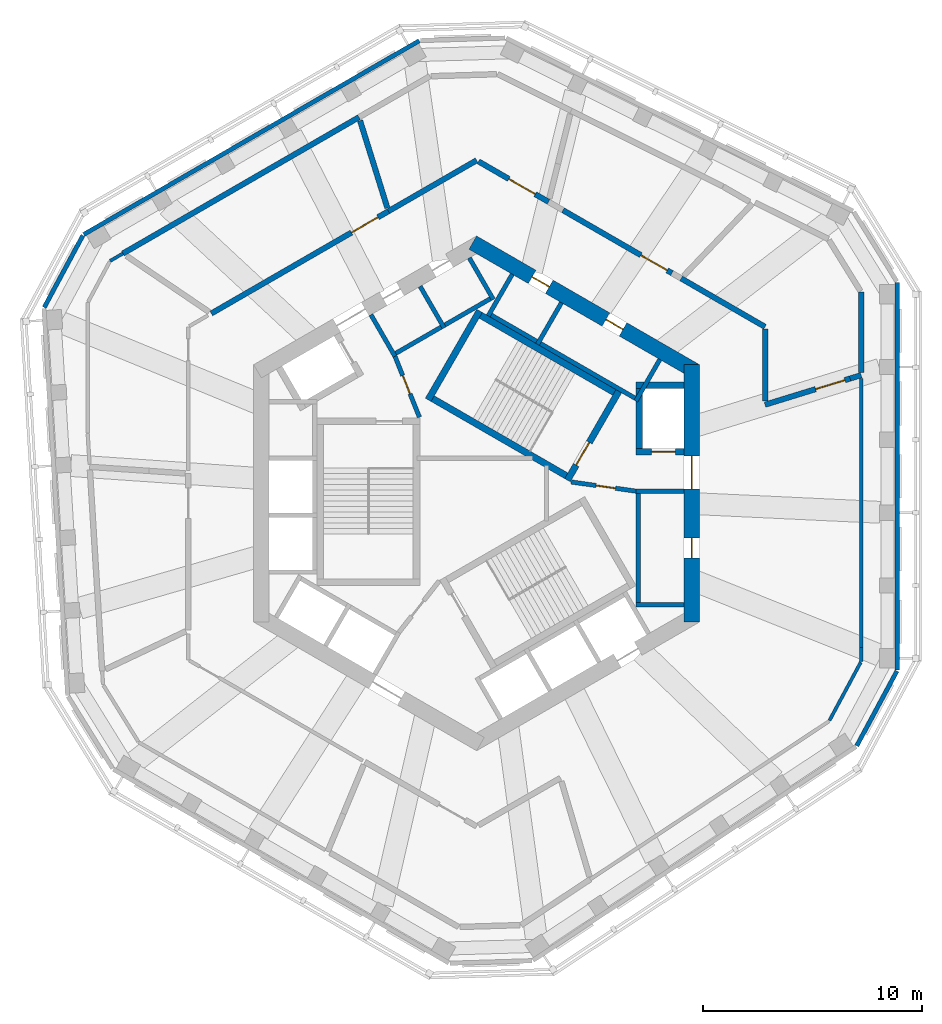
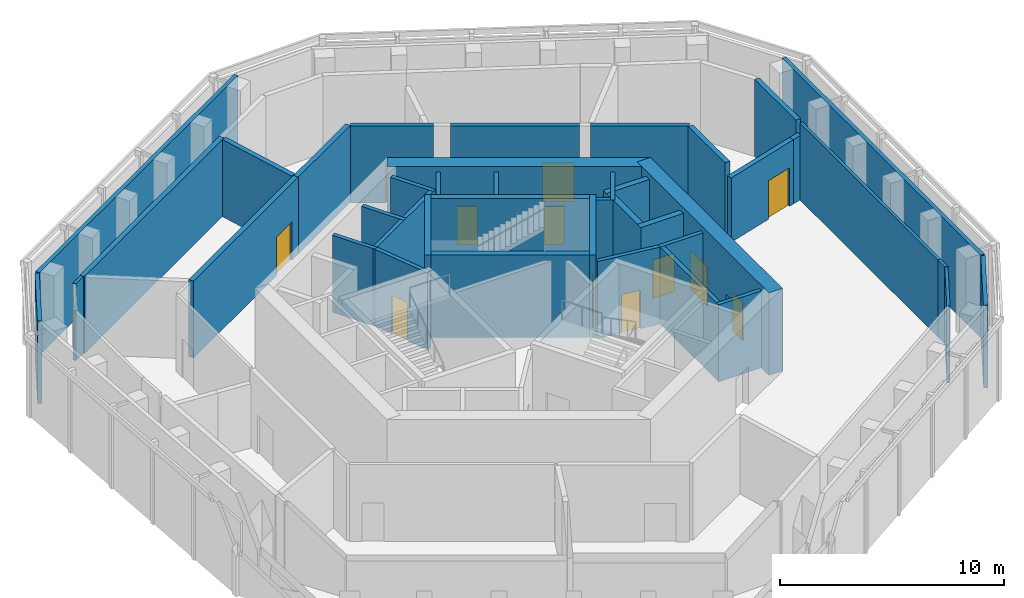
# One storey, part 5 of 9: 41 walls, 12 doors, 12 openings.
"""IFC4 building model written with IfcOpenShell, lengths in metres."""

from ifc_helpers import new_model, si_unit, direction, frame, frame_2d, origin, place, context, subcontext, project, spatial, rectangle, extrude, material, layer, layer_set, type_object, element, fill, save


model = new_model("IFC4")

# Units and contexts
model_context = context("Model", 3, precision=1e-05, world=origin(), true_north=direction((0.0, 1.0)))
body_context = subcontext(model_context, "Body", "Model", "MODEL_VIEW")
ifc_project = project(units=[si_unit("LENGTHUNIT", "METRE"), si_unit("AREAUNIT", "SQUARE_METRE"), si_unit("VOLUMEUNIT", "CUBIC_METRE"), si_unit("PLANEANGLEUNIT", "RADIAN"), si_unit("MASSUNIT", "GRAM", prefix="KILO")], contexts=[model_context])

# Site, building, storey
site_placement = place(None, origin())
site = spatial("IfcSite", under=ifc_project, at=site_placement, CompositionType="ELEMENT")
building_placement = place(site_placement, origin())
building = spatial("IfcBuilding", under=site, at=building_placement, Name="Vanh Sen Convention Tower", CompositionType="ELEMENT")
storey_placement = place(building_placement, frame((0.0, 0.0, 300.5)))
storey = spatial("IfcBuildingStorey", under=building, at=storey_placement, Name="L74", CompositionType="ELEMENT", Elevation=300.5)

# Wall, opening, door
ifc_material_1 = material(Name="Concrete C40/50", Category="concrete")
ifc_layer_1 = layer(ifc_material_1, 0.25)
ifc_layer_set_1 = layer_set([ifc_layer_1], Name="Concrete C40/50")
wall_type_1 = type_object("IfcWallType", Name="Concrete wall 250 EI 180", PredefinedType="SOLIDWALL", material=ifc_layer_set_1)
wall_1_placement = place(storey_placement, frame((17.091064453125, 5.25439453125, 0.0), z_axis=(0.0, 0.0, 1.0), x_axis=(-0.955846412472, -0.293866697271, 0.0)))
wall_1 = element("IfcWall", 1, at=wall_1_placement, inside=storey, type_object=wall_type_1, Name="Fire-resisting wall L74-025", PredefinedType="SOLIDWALL", context=body_context, shape_type="SweptSolid", body=[
    extrude(rectangle(XDim=4.07080078125, YDim=0.25, at=frame_2d((2.035400390625, 0.0))), origin(), (0.0, 0.0, 1.0), 3.5),
])
opening_1_placement = place(wall_1_placement, frame((0.25, 0.0, 0.0)))
opening_1 = element("IfcOpeningElement", 2, at=opening_1_placement, cuts=wall_1, Name="Opening D74105", PredefinedType="OPENING", context=body_context, shape_type="SweptSolid", body=[
    extrude(rectangle(XDim=1.39990234375, YDim=2.10009765625, at=frame_2d((0.699951171875, 1.050048828125))), frame((0.0, 0.135009765625, 0.0), z_axis=(0.0, -1.0, 0.0), x_axis=(1.0, 0.0, 0.0)), (0.0, 0.0, 1.0), 0.27001953125),
])
ifc_material_2 = material(Name="Steel S355", Category="steel")
door_type_1 = type_object("IfcDoorType", Name="Service door 1400 EI 60", OperationType="SINGLE_SWING_LEFT", PredefinedType="DOOR", material=ifc_material_2)
door_1_placement = place(opening_1_placement, origin())
door_1 = element("IfcDoor", 3, at=door_1_placement, inside=storey, type_object=door_type_1, Name="Service door D74105", OperationType="SINGLE_SWING_LEFT", OverallHeight=2.10009765625, OverallWidth=1.39990234375, PredefinedType="DOOR", context=body_context, shape_type="SweptSolid", body=[
    extrude(rectangle(XDim=1.39990234375, YDim=2.10009765625, at=frame_2d((0.699951171875, 1.050048828125))), frame((0.0, 0.02490234375, 0.0), z_axis=(0.0, -1.0, 0.0), x_axis=(1.0, 0.0, 0.0)), (0.0, 0.0, 1.0), 0.050048828125),
])
fill(opening_1, door_1)

# Walls
wall_2_placement = place(storey_placement, frame((17.091064453125, 5.25439453125, 0.0), z_axis=(0.0, 0.0, 1.0), x_axis=(0.955848367703, 0.293860337505, 0.0)))
element("IfcWall", 4, at=wall_2_placement, inside=storey, type_object=wall_type_1, Name="Fire-resisting wall L74-026", PredefinedType="SOLIDWALL", context=body_context, shape_type="SweptSolid", body=[
    extrude(rectangle(XDim=0.532470703125, YDim=0.25, at=frame_2d((0.26611328125, 0.0))), origin(), (0.0, 0.0, 1.0), 3.5),
])
wall_3_placement = place(storey_placement, frame((13.199951171875, 7.52099609375, 0.0), z_axis=(0.0, 0.0, 1.0), x_axis=(0.0, -1.0, 0.0)))
element("IfcWall", 5, at=wall_3_placement, inside=storey, type_object=wall_type_1, Name="Fire-resisting wall L74-028", PredefinedType="SOLIDWALL", context=body_context, shape_type="SweptSolid", body=[
    extrude(rectangle(XDim=3.282958984375, YDim=0.25, at=frame_2d((1.6416015625, 0.0))), origin(), (0.0, 0.0, 1.0), 4.199951171875),
])
wall_4_placement = place(storey_placement, frame((13.199951171875, 7.62109375, 0.0), z_axis=(0.0, 0.0, 1.0), x_axis=(-0.866036909293, 0.499980071345, 0.0)))
element("IfcWall", 6, at=wall_4_placement, inside=storey, type_object=wall_type_1, Name="Fire-resisting wall L74-029", PredefinedType="SOLIDWALL", context=body_context, shape_type="SweptSolid", body=[
    extrude(rectangle(XDim=4.429931640625, YDim=0.25, at=frame_2d((2.21484375, 0.0))), origin(), (0.0, 0.0, 1.0), 4.199951171875),
])

# Wall, opening, door
wall_5_placement = place(storey_placement, frame((-12.140380859375, 8.23291015625, 0.0), z_axis=(0.0, 0.0, 1.0), x_axis=(0.866012216201, 0.500022840869, 0.0)))
wall_5 = element("IfcWall", 7, at=wall_5_placement, inside=storey, type_object=wall_type_1, Name="Fire-resisting wall L74-031", PredefinedType="SOLIDWALL", context=body_context, shape_type="SweptSolid", body=[
    extrude(rectangle(XDim=9.35693359375, YDim=0.25, at=frame_2d((4.678466796875, 0.0))), origin(), (0.0, 0.0, 1.0), 4.199951171875),
])
opening_2_placement = place(wall_5_placement, frame((7.406982421875, 0.0, 0.0)))
opening_2 = element("IfcOpeningElement", 8, at=opening_2_placement, cuts=wall_5, Name="Opening D74106", PredefinedType="OPENING", context=body_context, shape_type="SweptSolid", body=[
    extrude(rectangle(XDim=1.39990234375, YDim=2.10009765625, at=frame_2d((0.699951171875, 1.050048828125))), frame((0.0, 0.135009765625, 0.0), z_axis=(0.0, -1.0, 0.0), x_axis=(1.0, 0.0, 0.0)), (0.0, 0.0, 1.0), 0.27001953125),
])
door_2_placement = place(opening_2_placement, origin())
door_2 = element("IfcDoor", 9, at=door_2_placement, inside=storey, type_object=door_type_1, Name="Service door D74106", OperationType="SINGLE_SWING_LEFT", OverallHeight=2.10009765625, OverallWidth=1.39990234375, PredefinedType="DOOR", context=body_context, shape_type="SweptSolid", body=[
    extrude(rectangle(XDim=1.39990234375, YDim=2.10009765625, at=frame_2d((0.699951171875, 1.050048828125))), frame((0.0, 0.02490234375, 0.0), z_axis=(0.0, -1.0, 0.0), x_axis=(1.0, 0.0, 0.0)), (0.0, 0.0, 1.0), 0.050048828125),
])
fill(opening_2, door_2)

# Walls
wall_6_placement = place(storey_placement, frame((17.60009765625, 9.20654296875, 0.0), z_axis=(0.0, 0.0, 1.0), x_axis=(0.0, -1.0, 0.0)))
element("IfcWall", 10, at=wall_6_placement, inside=storey, type_object=wall_type_1, Name="Fire-resisting wall L74-034", PredefinedType="SOLIDWALL", context=body_context, shape_type="SweptSolid", body=[
    extrude(rectangle(XDim=3.675537109375, YDim=0.25, at=frame_2d((1.837890625, 0.0))), origin(), (0.0, 0.0, 1.0), 4.199951171875),
])
wall_7_placement = place(storey_placement, frame((-16.18701171875, 10.97705078125, 0.0), z_axis=(0.0, 0.0, 1.0), x_axis=(0.866022320763, 0.500005339912, 0.0)))
element("IfcWall", 11, at=wall_7_placement, inside=storey, type_object=wall_type_1, Name="Fire-resisting wall L74-037", PredefinedType="SOLIDWALL", context=body_context, shape_type="SweptSolid", body=[
    extrude(rectangle(XDim=12.475830078125, YDim=0.25, at=frame_2d((6.23779296875, 0.0))), origin(), (0.0, 0.0, 1.0), 4.199951171875),
])

# Wall, opening, door
wall_8_placement = place(storey_placement, frame((3.952392578125, 12.9599609375, 0.0), z_axis=(0.0, 0.0, 1.0), x_axis=(0.866036720167, -0.499980398938, 0.0)))
wall_8 = element("IfcWall", 12, at=wall_8_placement, inside=storey, type_object=wall_type_1, Name="Fire-resisting wall L74-039", PredefinedType="SOLIDWALL", context=body_context, shape_type="SweptSolid", body=[
    extrude(rectangle(XDim=5.762451171875, YDim=0.25, at=frame_2d((2.88134765625, 0.0))), origin(), (0.0, 0.0, 1.0), 4.199951171875),
])
opening_3_placement = place(wall_8_placement, frame((4.1123046875, 0.0, 0.0)))
opening_3 = element("IfcOpeningElement", 13, at=opening_3_placement, cuts=wall_8, Name="Opening D74107", PredefinedType="OPENING", context=body_context, shape_type="SweptSolid", body=[
    extrude(rectangle(XDim=1.39990234375, YDim=2.10009765625, at=frame_2d((0.699951171875, 1.050048828125))), frame((0.0, 0.135009765625, 0.0), z_axis=(0.0, -1.0, 0.0), x_axis=(1.0, 0.0, 0.0)), (0.0, 0.0, 1.0), 0.27001953125),
])
door_3_placement = place(opening_3_placement, origin())
door_3 = element("IfcDoor", 14, at=door_3_placement, inside=storey, type_object=door_type_1, Name="Service door D74107", OperationType="SINGLE_SWING_LEFT", OverallHeight=2.10009765625, OverallWidth=1.39990234375, PredefinedType="DOOR", context=body_context, shape_type="SweptSolid", body=[
    extrude(rectangle(XDim=1.39990234375, YDim=2.10009765625, at=frame_2d((0.699951171875, 1.050048828125))), frame((0.0, 0.02490234375, 0.0), z_axis=(0.0, -1.0, 0.0), x_axis=(1.0, 0.0, 0.0)), (0.0, 0.0, 1.0), 0.050048828125),
])
fill(opening_3, door_3)

# Wall
wall_9_placement = place(storey_placement, frame((-4.084716796875, 13.064208984375, 0.0), z_axis=(0.0, 0.0, 1.0), x_axis=(-0.298407733905, 0.954438486413, 0.0)))
element("IfcWall", 15, at=wall_9_placement, inside=storey, type_object=wall_type_1, Name="Fire-resisting wall L74-041", PredefinedType="SOLIDWALL", context=body_context, shape_type="SweptSolid", body=[
    extrude(rectangle(XDim=4.18896484375, YDim=0.25, at=frame_2d((2.094482421875, 0.0))), origin(), (0.0, 0.0, 1.0), 4.199951171875),
])

# Wall, opening, door
wall_10_placement = place(storey_placement, frame((3.29248046875, 13.341064453125, 0.0), z_axis=(0.0, 0.0, 1.0), x_axis=(-0.866030726613, 0.499990780478, 0.0)))
wall_10 = element("IfcWall", 16, at=wall_10_placement, inside=storey, type_object=wall_type_1, Name="Fire-resisting wall L74-044", PredefinedType="SOLIDWALL", context=body_context, shape_type="SweptSolid", body=[
    extrude(rectangle(XDim=3.70166015625, YDim=0.25, at=frame_2d((1.850830078125, 0.0))), origin(), (0.0, 0.0, 1.0), 4.199951171875),
])
opening_4_placement = place(wall_10_placement, frame((0.699951171875, 0.0, 0.0)))
opening_4 = element("IfcOpeningElement", 17, at=opening_4_placement, cuts=wall_10, Name="Opening D74108", PredefinedType="OPENING", context=body_context, shape_type="SweptSolid", body=[
    extrude(rectangle(XDim=1.39990234375, YDim=2.10009765625, at=frame_2d((0.699951171875, 1.050048828125))), frame((0.0, 0.135009765625, 0.0), z_axis=(0.0, -1.0, 0.0), x_axis=(1.0, 0.0, 0.0)), (0.0, 0.0, 1.0), 0.27001953125),
])
door_4_placement = place(opening_4_placement, origin())
door_4 = element("IfcDoor", 18, at=door_4_placement, inside=storey, type_object=door_type_1, Name="Service door D74108", OperationType="SINGLE_SWING_LEFT", OverallHeight=2.10009765625, OverallWidth=1.39990234375, PredefinedType="DOOR", context=body_context, shape_type="SweptSolid", body=[
    extrude(rectangle(XDim=1.39990234375, YDim=2.10009765625, at=frame_2d((0.699951171875, 1.050048828125))), frame((0.0, 0.02490234375, 0.0), z_axis=(0.0, -1.0, 0.0), x_axis=(1.0, 0.0, 0.0)), (0.0, 0.0, 1.0), 0.050048828125),
])
fill(opening_4, door_4)

# Wall
wall_11_placement = place(storey_placement, frame((0.0, 15.241943359375, 0.0), z_axis=(0.0, 0.0, 1.0), x_axis=(-0.866072210649, -0.499918919367, 0.0)))
element("IfcWall", 19, at=wall_11_placement, inside=storey, type_object=wall_type_1, Name="Fire-resisting wall L74-048", PredefinedType="SOLIDWALL", context=body_context, shape_type="SweptSolid", body=[
    extrude(rectangle(XDim=4.661376953125, YDim=0.25, at=frame_2d((2.33056640625, 0.0))), origin(), (0.0, 0.0, 1.0), 4.199951171875),
])

# Wall, openings, doors
ifc_material_3 = material(Name="Concrete C60/75", Category="concrete")
ifc_layer_2 = layer(ifc_material_3, 0.699951171875)
ifc_layer_set_2 = layer_set([ifc_layer_2], Name="Concrete C60/75")
wall_type_2 = type_object("IfcWallType", Name="Core outer wall 700 C60/75", PredefinedType="SHEAR", material=ifc_layer_set_2)
wall_12_placement = place(storey_placement, frame((9.85009765625, -5.888916015625, 0.0), z_axis=(0.0, 0.0, 1.0), x_axis=(0.0, 1.0, 0.0)))
wall_12 = element("IfcWall", 20, at=wall_12_placement, inside=storey, type_object=wall_type_2, Name="Core wall face E L74", PredefinedType="SHEAR", context=body_context, shape_type="SweptSolid", body=[
    extrude(rectangle(XDim=11.77783203125, YDim=0.699951171875, at=frame_2d((5.888916015625, 0.0))), origin(), (0.0, 0.0, 1.0), 4.5),
])
opening_5_placement = place(wall_12_placement, frame((6.089111328125, 0.0, 0.0)))
opening_5 = element("IfcOpeningElement", 21, at=opening_5_placement, cuts=wall_12, Name="Opening D74001", PredefinedType="OPENING", context=body_context, shape_type="SweptSolid", body=[
    extrude(rectangle(XDim=1.5, YDim=2.10009765625, at=frame_2d((0.75, 1.050048828125))), frame((0.0, 0.35986328125, 0.0), z_axis=(0.0, -1.0, 0.0), x_axis=(1.0, 0.0, 0.0)), (0.0, 0.0, 1.0), 0.719970703125),
])
opening_6_placement = place(wall_12_placement, frame((2.93896484375, 0.0, 0.0)))
opening_6 = element("IfcOpeningElement", 22, at=opening_6_placement, cuts=wall_12, Name="Opening D74010", PredefinedType="OPENING", context=body_context, shape_type="SweptSolid", body=[
    extrude(rectangle(XDim=0.89990234375, YDim=2.10009765625, at=frame_2d((0.449951171875, 1.050048828125))), frame((0.0, 0.35986328125, 0.0), z_axis=(0.0, -1.0, 0.0), x_axis=(1.0, 0.0, 0.0)), (0.0, 0.0, 1.0), 0.719970703125),
])
ifc_material_4 = material(Name="Steel S355", Category="steel")
door_type_2 = type_object("IfcDoorType", Name="Plant door 900", OperationType="SINGLE_SWING_LEFT", PredefinedType="DOOR", material=ifc_material_4)
door_5_placement = place(opening_6_placement, origin())
door_5 = element("IfcDoor", 23, at=door_5_placement, inside=storey, type_object=door_type_2, Name="Plant door D74010", OperationType="SINGLE_SWING_LEFT", OverallHeight=2.10009765625, OverallWidth=0.89990234375, PredefinedType="DOOR", context=body_context, shape_type="SweptSolid", body=[
    extrude(rectangle(XDim=0.89990234375, YDim=2.10009765625, at=frame_2d((0.449951171875, 1.050048828125))), frame((0.0, 0.02490234375, 0.0), z_axis=(0.0, -1.0, 0.0), x_axis=(1.0, 0.0, 0.0)), (0.0, 0.0, 1.0), 0.050048828125),
])
fill(opening_6, door_5)
door_type_3 = type_object("IfcDoorType", Name="Stair lobby door 1500", OperationType="DOUBLE_DOOR_SINGLE_SWING", PredefinedType="DOOR", material=ifc_material_4)
door_6_placement = place(opening_5_placement, origin())
door_6 = element("IfcDoor", 24, at=door_6_placement, inside=storey, type_object=door_type_3, Name="Stair lobby door D74001", OperationType="DOUBLE_DOOR_SINGLE_SWING", OverallHeight=2.10009765625, OverallWidth=1.5, PredefinedType="DOOR", context=body_context, shape_type="SweptSolid", body=[
    extrude(rectangle(XDim=1.5, YDim=2.10009765625, at=frame_2d((0.75, 1.050048828125))), frame((0.0, 0.02490234375, 0.0), z_axis=(0.0, -1.0, 0.0), x_axis=(1.0, 0.0, 0.0)), (0.0, 0.0, 1.0), 0.050048828125),
])
fill(opening_5, door_6)

wall_13_placement = place(storey_placement, frame((10.02490234375, 5.5859375, 0.0), z_axis=(0.0, 0.0, 1.0), x_axis=(-0.866026453023, 0.499998182661, 0.0)))
wall_13 = element("IfcWall", 25, at=wall_13_placement, inside=storey, type_object=wall_type_2, Name="Core wall face NE L74", PredefinedType="SHEAR", context=body_context, shape_type="SweptSolid", body=[
    extrude(rectangle(XDim=11.77783203125, YDim=0.699951171875, at=frame_2d((5.888916015625, 0.0))), origin(), (0.0, 0.0, 1.0), 4.5),
])
opening_7_placement = place(wall_13_placement, frame((3.839111328125, 0.0, 0.0)))
opening_7 = element("IfcOpeningElement", 26, at=opening_7_placement, cuts=wall_13, Name="Opening D74011", PredefinedType="OPENING", context=body_context, shape_type="SweptSolid", body=[
    extrude(rectangle(XDim=0.89990234375, YDim=2.10009765625, at=frame_2d((0.449951171875, 1.050048828125))), frame((0.0, 0.35986328125, 0.0), z_axis=(0.0, -1.0, 0.0), x_axis=(1.0, 0.0, 0.0)), (0.0, 0.0, 1.0), 0.719970703125),
])
opening_8_placement = place(wall_13_placement, frame((7.739013671875, 0.0, 0.0)))
opening_8 = element("IfcOpeningElement", 27, at=opening_8_placement, cuts=wall_13, Name="Opening D74012", PredefinedType="OPENING", context=body_context, shape_type="SweptSolid", body=[
    extrude(rectangle(XDim=0.89990234375, YDim=2.10009765625, at=frame_2d((0.449951171875, 1.050048828125))), frame((0.0, 0.35986328125, 0.0), z_axis=(0.0, -1.0, 0.0), x_axis=(1.0, 0.0, 0.0)), (0.0, 0.0, 1.0), 0.719970703125),
])
door_7_placement = place(opening_7_placement, origin())
door_7 = element("IfcDoor", 28, at=door_7_placement, inside=storey, type_object=door_type_2, Name="Plant door D74011", OperationType="SINGLE_SWING_LEFT", OverallHeight=2.10009765625, OverallWidth=0.89990234375, PredefinedType="DOOR", context=body_context, shape_type="SweptSolid", body=[
    extrude(rectangle(XDim=0.89990234375, YDim=2.10009765625, at=frame_2d((0.449951171875, 1.050048828125))), frame((0.0, 0.02490234375, 0.0), z_axis=(0.0, -1.0, 0.0), x_axis=(1.0, 0.0, 0.0)), (0.0, 0.0, 1.0), 0.050048828125),
])
fill(opening_7, door_7)
door_8_placement = place(opening_8_placement, origin())
door_8 = element("IfcDoor", 29, at=door_8_placement, inside=storey, type_object=door_type_2, Name="Plant door D74012", OperationType="SINGLE_SWING_LEFT", OverallHeight=2.10009765625, OverallWidth=0.89990234375, PredefinedType="DOOR", context=body_context, shape_type="SweptSolid", body=[
    extrude(rectangle(XDim=0.89990234375, YDim=2.10009765625, at=frame_2d((0.449951171875, 1.050048828125))), frame((0.0, 0.02490234375, 0.0), z_axis=(0.0, -1.0, 0.0), x_axis=(1.0, 0.0, 0.0)), (0.0, 0.0, 1.0), 0.050048828125),
])
fill(opening_8, door_8)

# Walls
ifc_material_5 = material(Name="Insulated lightweight infill wall")
ifc_layer_3 = layer(ifc_material_5, 0.199951171875)
ifc_layer_set_3 = layer_set([ifc_layer_3], Name="Insulated lightweight infill wall")
wall_type_3 = type_object("IfcWallType", Name="External wall 200", PredefinedType="STANDARD", material=ifc_layer_set_3)
wall_14_placement = place(storey_placement, frame((19.25, -8.083984375, 0.0), z_axis=(0.0, 0.0, 1.0), x_axis=(0.0, 1.0, 0.0)))
element("IfcWall", 30, at=wall_14_placement, inside=storey, type_object=wall_type_3, Name="External wall E L74", PredefinedType="STANDARD", context=body_context, shape_type="SweptSolid", body=[
    extrude(rectangle(XDim=17.731201171875, YDim=0.199951171875, at=frame_2d((8.86572265625, 0.0))), origin(), (0.0, 0.0, 1.0), 4.5),
])
wall_15_placement = place(storey_placement, frame((-2.623779296875, 20.713134765625, 0.0), z_axis=(0.0, 0.0, 1.0), x_axis=(-0.866026460444, -0.499998169808, 0.0)))
element("IfcWall", 31, at=wall_15_placement, inside=storey, type_object=wall_type_3, Name="External wall NW L74", PredefinedType="STANDARD", context=body_context, shape_type="SweptSolid", body=[
    extrude(rectangle(XDim=17.7314453125, YDim=0.199951171875, at=frame_2d((8.86572265625, 0.0))), origin(), (0.0, 0.0, 1.0), 4.5),
])
wall_16_placement = place(storey_placement, frame((-18.017822265625, 11.80810546875, 0.0), z_axis=(0.0, 0.0, 1.0), x_axis=(-0.473318619185, -0.880891301315, 0.0)))
element("IfcWall", 32, at=wall_16_placement, inside=storey, type_object=wall_type_3, Name="External wall CH3 L74", PredefinedType="STANDARD", context=body_context, shape_type="SweptSolid", body=[
    extrude(rectangle(XDim=3.746826171875, YDim=0.199951171875, at=frame_2d((1.87353515625, 0.0))), origin(), (0.0, 0.0, 1.0), 4.5),
])
wall_17_placement = place(storey_placement, frame((17.39892578125, -11.55419921875, 0.0), z_axis=(0.0, 0.0, 1.0), x_axis=(0.473309051311, 0.880896442238, 0.0)))
element("IfcWall", 33, at=wall_17_placement, inside=storey, type_object=wall_type_3, Name="External wall CH6 L74", PredefinedType="STANDARD", context=body_context, shape_type="SweptSolid", body=[
    extrude(rectangle(XDim=3.8857421875, YDim=0.199951171875, at=frame_2d((1.94287109375, 0.0))), origin(), (0.0, 0.0, 1.0), 4.5),
])

# Wall, opening, door
ifc_layer_4 = layer(ifc_material_3, 0.300048828125)
ifc_layer_set_4 = layer_set([ifc_layer_4], Name="Concrete C60/75")
wall_type_4 = type_object("IfcWallType", Name="Fire-fighting lift shaft wall 300", PredefinedType="SHEAR", material=ifc_layer_set_4)
wall_18_placement = place(storey_placement, frame((7.300048828125, 1.89990234375, 0.0), z_axis=(0.0, 0.0, 1.0), x_axis=(1.0, 0.0, 0.0)))
wall_18 = element("IfcWall", 34, at=wall_18_placement, inside=storey, type_object=wall_type_4, Name="Fire-fighting lift shaft wall L74", PredefinedType="SHEAR", context=body_context, shape_type="SweptSolid", body=[
    extrude(rectangle(XDim=2.199951171875, YDim=0.300048828125, at=frame_2d((1.10009765625, 0.0))), origin(), (0.0, 0.0, 1.0), 4.199951171875),
])
opening_9_placement = place(wall_18_placement, frame((0.699951171875, 0.0, 0.0)))
opening_9 = element("IfcOpeningElement", 35, at=opening_9_placement, cuts=wall_18, Name="Opening LD-FF1", PredefinedType="OPENING", context=body_context, shape_type="SweptSolid", body=[
    extrude(rectangle(XDim=1.10009765625, YDim=2.10009765625, at=frame_2d((0.550048828125, 1.050048828125))), frame((0.0, 0.159912109375, 0.0), z_axis=(0.0, -1.0, 0.0), x_axis=(1.0, 0.0, 0.0)), (0.0, 0.0, 1.0), 0.320068359375),
])
ifc_material_6 = material(Name="Stainless steel", Category="steel")
door_type_4 = type_object("IfcDoorType", Name="Fire-fighting lift landing door 1100", OperationType="DOUBLE_DOOR_SLIDING", PredefinedType="DOOR", material=ifc_material_6)
door_9_placement = place(opening_9_placement, origin())
door_9 = element("IfcDoor", 36, at=door_9_placement, inside=storey, type_object=door_type_4, Name="Lift FF1 landing door LD-FF1", OperationType="DOUBLE_DOOR_SLIDING", OverallHeight=2.10009765625, OverallWidth=1.10009765625, PredefinedType="DOOR", context=body_context, shape_type="SweptSolid", body=[
    extrude(rectangle(XDim=1.10009765625, YDim=2.10009765625, at=frame_2d((0.550048828125, 1.050048828125))), frame((0.0, 0.02490234375, 0.0), z_axis=(0.0, -1.0, 0.0), x_axis=(1.0, 0.0, 0.0)), (0.0, 0.0, 1.0), 0.050048828125),
])
fill(opening_9, door_9)

# Walls
wall_19_placement = place(storey_placement, frame((7.449951171875, 1.75, 0.0), z_axis=(0.0, 0.0, 1.0), x_axis=(0.0, 1.0, 0.0)))
element("IfcWall", 37, at=wall_19_placement, inside=storey, type_object=wall_type_4, Name="Fire-fighting lift shaft wall L74", PredefinedType="SHEAR", context=body_context, shape_type="SweptSolid", body=[
    extrude(rectangle(XDim=3.35009765625, YDim=0.300048828125, at=frame_2d((1.675048828125, 0.0))), origin(), (0.0, 0.0, 1.0), 4.199951171875),
])
wall_20_placement = place(storey_placement, frame((7.300048828125, 4.949951171875, 0.0), z_axis=(0.0, 0.0, 1.0), x_axis=(1.0, 0.0, 0.0)))
element("IfcWall", 38, at=wall_20_placement, inside=storey, type_object=wall_type_4, Name="Fire-fighting lift shaft wall L74", PredefinedType="SHEAR", context=body_context, shape_type="SweptSolid", body=[
    extrude(rectangle(XDim=2.199951171875, YDim=0.300048828125, at=frame_2d((1.10009765625, 0.0))), origin(), (0.0, 0.0, 1.0), 4.199951171875),
])
ifc_layer_5 = layer(ifc_material_1, 0.199951171875)
ifc_layer_set_5 = layer_set([ifc_layer_5], Name="Concrete C40/50")
wall_type_5 = type_object("IfcWallType", Name="Lift shaft wall 200", PredefinedType="PARTITIONING", material=ifc_layer_set_5)
wall_21_placement = place(storey_placement, frame((7.39990234375, -5.199951171875, 0.0), z_axis=(0.0, 0.0, 1.0), x_axis=(0.0, 1.0, 0.0)))
element("IfcWall", 39, at=wall_21_placement, inside=storey, type_object=wall_type_5, Name="Lift shaft wall L74", PredefinedType="PARTITIONING", context=body_context, shape_type="SweptSolid", body=[
    extrude(rectangle(XDim=5.39990234375, YDim=0.199951171875, at=frame_2d((2.699951171875, 0.0))), origin(), (0.0, 0.0, 1.0), 4.199951171875),
])
for number, where, z_axis, x_axis, name in (
    (40, (7.300048828125, -5.10009765625, 0.0), (0.0, 0.0, 1.0), (1.0, 0.0, 0.0), "Lift shaft wall L74"),
    (41, (7.300048828125, 0.10009765625, 0.0), (0.0, 0.0, 1.0), (1.0, 0.0, 0.0), "Lift shaft wall L74"),
):
    element("IfcWall", number, at=place(storey_placement, frame(where, z_axis=z_axis, x_axis=x_axis)), inside=storey, type_object=wall_type_5, Name=name, PredefinedType="PARTITIONING", context=body_context, shape_type="SweptSolid", body=[
        extrude(rectangle(XDim=2.199951171875, YDim=0.199951171875, at=frame_2d((1.10009765625, 0.0))), origin(), (0.0, 0.0, 1.0), 4.199951171875),
    ])
wall_22_placement = place(storey_placement, frame((7.423828125, 4.258544921875, 0.0), z_axis=(0.0, 0.0, 1.0), x_axis=(-0.866026010844, 0.49999894854, 0.0)))
element("IfcWall", 42, at=wall_22_placement, inside=storey, type_object=wall_type_5, Name="Lift shaft wall L74", PredefinedType="PARTITIONING", context=body_context, shape_type="SweptSolid", body=[
    extrude(rectangle(XDim=8.0, YDim=0.199951171875, at=frame_2d((4.0, 0.0))), origin(), (0.0, 0.0, 1.0), 4.199951171875),
])
for number, where, z_axis, x_axis, name in (
    (43, (7.287353515625, 4.221923828125, 0.0), (0.0, 0.0, 1.0), (0.499946605688, 0.86605622881, 0.0), "Lift shaft wall L74"),
    (44, (2.783935546875, 6.822021484375, 0.0), (0.0, 0.0, 1.0), (0.50002983664, 0.866008176907, 0.0), "Lift shaft wall L74"),
    (45, (0.5322265625, 8.1220703125, 0.0), (0.0, 0.0, 1.0), (0.500077893725, 0.86598042715, 0.0), "Lift shaft wall L74"),
):
    element("IfcWall", number, at=place(storey_placement, frame(where, z_axis=z_axis, x_axis=x_axis)), inside=storey, type_object=wall_type_5, Name=name, PredefinedType="PARTITIONING", context=body_context, shape_type="SweptSolid", body=[
        extrude(rectangle(XDim=2.199951171875, YDim=0.199951171875, at=frame_2d((1.10009765625, 0.0))), origin(), (0.0, 0.0, 1.0), 4.199951171875),
    ])
wall_23_placement = place(storey_placement, frame((0.80322265625, 9.008544921875, 0.0), z_axis=(0.0, 0.0, 1.0), x_axis=(-0.866028230842, -0.499995103361, 0.0)))
element("IfcWall", 46, at=wall_23_placement, inside=storey, type_object=wall_type_5, Name="Lift shaft wall L74", PredefinedType="PARTITIONING", context=body_context, shape_type="SweptSolid", body=[
    extrude(rectangle(XDim=5.39990234375, YDim=0.199951171875, at=frame_2d((2.699951171875, 0.0))), origin(), (0.0, 0.0, 1.0), 4.199951171875),
])
wall_24_placement = place(storey_placement, frame((0.7666015625, 8.8720703125, 0.0), z_axis=(0.0, 0.0, 1.0), x_axis=(-0.499994660107, 0.866028486751, 0.0)))
element("IfcWall", 47, at=wall_24_placement, inside=storey, type_object=wall_type_5, Name="Lift shaft wall L74", PredefinedType="PARTITIONING", context=body_context, shape_type="SweptSolid", body=[
    extrude(rectangle(XDim=2.19970703125, YDim=0.199951171875, at=frame_2d((1.099853515625, 0.0))), origin(), (0.0, 0.0, 1.0), 4.199951171875),
])
for number, where, z_axis, x_axis, name in (
    (48, (-1.48486328125, 7.572021484375, 0.0), (0.0, 0.0, 1.0), (-0.50002983664, 0.866008176907, 0.0), "Lift shaft wall L74"),
    (49, (-3.736572265625, 6.27197265625, 0.0), (0.0, 0.0, 1.0), (-0.50002983664, 0.866008176907, 0.0), "Lift shaft wall L74"),
):
    element("IfcWall", number, at=place(storey_placement, frame(where, z_axis=z_axis, x_axis=x_axis)), inside=storey, type_object=wall_type_5, Name=name, PredefinedType="PARTITIONING", context=body_context, shape_type="SweptSolid", body=[
        extrude(rectangle(XDim=2.199951171875, YDim=0.199951171875, at=frame_2d((1.10009765625, 0.0))), origin(), (0.0, 0.0, 1.0), 4.199951171875),
    ])
ifc_material_7 = material(Name="Gypsum board on steel studs", Category="steel")
ifc_layer_6 = layer(ifc_material_7, 0.14990234375)
ifc_layer_set_6 = layer_set([ifc_layer_6], Name="Gypsum board on steel studs")
wall_type_6 = type_object("IfcWallType", Name="Partition 150", PredefinedType="PARTITIONING", material=ifc_layer_set_6)
wall_25_placement = place(storey_placement, frame((17.5810546875, -7.729248046875, 0.0), z_axis=(0.0, 0.0, 1.0), x_axis=(-0.473358590991, -0.880869822581, 0.0)))
element("IfcWall", 50, at=wall_25_placement, inside=storey, type_object=wall_type_6, Name="Partition L74-014", PredefinedType="PARTITIONING", context=body_context, shape_type="SweptSolid", body=[
    extrude(rectangle(XDim=3.025390625, YDim=0.14990234375, at=frame_2d((1.5126953125, 0.0))), origin(), (0.0, 0.0, 1.0), 4.199951171875),
])
wall_26_placement = place(storey_placement, frame((17.60009765625, -7.06494140625, 0.0), z_axis=(0.0, 0.0, 1.0), x_axis=(0.0, -1.0, 0.0)))
element("IfcWall", 51, at=wall_26_placement, inside=storey, type_object=wall_type_6, Name="Partition L74-017", PredefinedType="PARTITIONING", context=body_context, shape_type="SweptSolid", body=[
    extrude(rectangle(XDim=0.629150390625, YDim=0.14990234375, at=frame_2d((0.314453125, 0.0))), origin(), (0.0, 0.0, 1.0), 4.199951171875),
])
wall_27_placement = place(storey_placement, frame((17.60009765625, 5.2509765625, 0.0), z_axis=(0.0, 0.0, 1.0), x_axis=(0.0, -1.0, 0.0)))
element("IfcWall", 52, at=wall_27_placement, inside=storey, type_object=wall_type_6, Name="Partition L74-027", PredefinedType="PARTITIONING", context=body_context, shape_type="SweptSolid", body=[
    extrude(rectangle(XDim=12.31591796875, YDim=0.14990234375, at=frame_2d((6.157958984375, 0.0))), origin(), (0.0, 0.0, 1.0), 4.199951171875),
])
ifc_layer_7 = layer(ifc_material_7, 0.14990234375)
ifc_layer_set_7 = layer_set([ifc_layer_7], Name="Gypsum board on steel studs")
wall_type_7 = type_object("IfcWallType", Name="Partition 150 EI 60", PredefinedType="PARTITIONING", material=ifc_layer_set_7)
wall_28_placement = place(storey_placement, frame((-16.77294921875, 10.638916015625, 0.0), z_axis=(0.0, 0.0, 1.0), x_axis=(0.866125498941, 0.499826590014, 0.0)))
element("IfcWall", 53, at=wall_28_placement, inside=storey, type_object=wall_type_7, Name="Partition L74-036", PredefinedType="PARTITIONING", context=body_context, shape_type="SweptSolid", body=[
    extrude(rectangle(XDim=0.676513671875, YDim=0.14990234375, at=frame_2d((0.33837890625, 0.0))), origin(), (0.0, 0.0, 1.0), 4.199951171875),
])

# Wall, opening, door
ifc_layer_8 = layer(ifc_material_1, 0.199951171875)
ifc_layer_set_8 = layer_set([ifc_layer_8], Name="Concrete C40/50")
wall_type_8 = type_object("IfcWallType", Name="Stair lobby wall 200", PredefinedType="PARTITIONING", material=ifc_layer_set_8)
wall_29_placement = place(storey_placement, frame((4.327392578125, 0.52099609375, 0.0), z_axis=(0.0, 0.0, 1.0), x_axis=(0.990124376366, -0.14019172346, 0.0)))
wall_29 = element("IfcWall", 54, at=wall_29_placement, inside=storey, type_object=wall_type_8, Name="Stair lobby wall L74", PredefinedType="PARTITIONING", context=body_context, shape_type="SweptSolid", body=[
    extrude(rectangle(XDim=3.002197265625, YDim=0.199951171875, at=frame_2d((1.5009765625, 0.0))), origin(), (0.0, 0.0, 1.0), 4.199951171875),
])
opening_10_placement = place(wall_29_placement, frame((1.14990234375, 0.0, 0.0)))
opening_10 = element("IfcOpeningElement", 55, at=opening_10_placement, cuts=wall_29, Name="Opening D74007", PredefinedType="OPENING", context=body_context, shape_type="SweptSolid", body=[
    extrude(rectangle(XDim=0.89990234375, YDim=2.10009765625, at=frame_2d((0.449951171875, 1.050048828125))), frame((0.0, 0.10986328125, 0.0), z_axis=(0.0, -1.0, 0.0), x_axis=(1.0, 0.0, 0.0)), (0.0, 0.0, 1.0), 0.219970703125),
])
door_10_placement = place(opening_10_placement, origin())
door_10 = element("IfcDoor", 56, at=door_10_placement, inside=storey, type_object=door_type_2, Name="Plant door D74007", OperationType="SINGLE_SWING_LEFT", OverallHeight=2.10009765625, OverallWidth=0.89990234375, PredefinedType="DOOR", context=body_context, shape_type="SweptSolid", body=[
    extrude(rectangle(XDim=0.89990234375, YDim=2.10009765625, at=frame_2d((0.449951171875, 1.050048828125))), frame((0.0, 0.02490234375, 0.0), z_axis=(0.0, -1.0, 0.0), x_axis=(1.0, 0.0, 0.0)), (0.0, 0.0, 1.0), 0.050048828125),
])
fill(opening_10, door_10)

wall_30_placement = place(storey_placement, frame((-2.614990234375, 3.487060546875, 0.0), z_axis=(0.0, 0.0, 1.0), x_axis=(-0.373576831041, 0.92759924068, 0.0)))
wall_30 = element("IfcWall", 57, at=wall_30_placement, inside=storey, type_object=wall_type_8, Name="Stair lobby wall L74", PredefinedType="PARTITIONING", context=body_context, shape_type="SweptSolid", body=[
    extrude(rectangle(XDim=3.002197265625, YDim=0.199951171875, at=frame_2d((1.5009765625, 0.0))), origin(), (0.0, 0.0, 1.0), 4.199951171875),
])
opening_11_placement = place(wall_30_placement, frame((1.14990234375, 0.0, 0.0)))
opening_11 = element("IfcOpeningElement", 58, at=opening_11_placement, cuts=wall_30, Name="Opening D74008", PredefinedType="OPENING", context=body_context, shape_type="SweptSolid", body=[
    extrude(rectangle(XDim=0.89990234375, YDim=2.10009765625, at=frame_2d((0.449951171875, 1.050048828125))), frame((0.0, 0.10986328125, 0.0), z_axis=(0.0, -1.0, 0.0), x_axis=(1.0, 0.0, 0.0)), (0.0, 0.0, 1.0), 0.219970703125),
])
door_11_placement = place(opening_11_placement, origin())
door_11 = element("IfcDoor", 59, at=door_11_placement, inside=storey, type_object=door_type_2, Name="Plant door D74008", OperationType="SINGLE_SWING_LEFT", OverallHeight=2.10009765625, OverallWidth=0.89990234375, PredefinedType="DOOR", context=body_context, shape_type="SweptSolid", body=[
    extrude(rectangle(XDim=0.89990234375, YDim=2.10009765625, at=frame_2d((0.449951171875, 1.050048828125))), frame((0.0, 0.02490234375, 0.0), z_axis=(0.0, -1.0, 0.0), x_axis=(1.0, 0.0, 0.0)), (0.0, 0.0, 1.0), 0.050048828125),
])
fill(opening_11, door_11)

ifc_layer_9 = layer(ifc_material_3, 0.300048828125)
ifc_layer_set_9 = layer_set([ifc_layer_9], Name="Concrete C60/75")
wall_type_9 = type_object("IfcWallType", Name="Stair wall 300", PredefinedType="SHEAR", material=ifc_layer_set_9)
wall_31_placement = place(storey_placement, frame((4.157958984375, 0.601806640625, 0.0), z_axis=(0.0, 0.0, 1.0), x_axis=(0.499977259774, 0.866038532462, 0.0)))
wall_31 = element("IfcWall", 60, at=wall_31_placement, inside=storey, type_object=wall_type_9, Name="Stair wall L74", PredefinedType="SHEAR", context=body_context, shape_type="SweptSolid", body=[
    extrude(rectangle(XDim=4.699951171875, YDim=0.300048828125, at=frame_2d((2.35009765625, 0.0))), origin(), (0.0, 0.0, 1.0), 4.5),
])
opening_12_placement = place(wall_31_placement, frame((0.800048828125, 0.0, 0.0)))
opening_12 = element("IfcOpeningElement", 61, at=opening_12_placement, cuts=wall_31, Name="Opening D74004", PredefinedType="OPENING", context=body_context, shape_type="SweptSolid", body=[
    extrude(rectangle(XDim=1.199951171875, YDim=2.10009765625, at=frame_2d((0.60009765625, 1.050048828125))), frame((0.0, 0.159912109375, 0.0), z_axis=(0.0, -1.0, 0.0), x_axis=(1.0, 0.0, 0.0)), (0.0, 0.0, 1.0), 0.320068359375),
])
door_type_5 = type_object("IfcDoorType", Name="Stair door 1200", OperationType="SINGLE_SWING_RIGHT", PredefinedType="DOOR", material=ifc_material_4)
door_12_placement = place(opening_12_placement, origin())
door_12 = element("IfcDoor", 62, at=door_12_placement, inside=storey, type_object=door_type_5, Name="Stair ST1 door D74004", OperationType="SINGLE_SWING_RIGHT", OverallHeight=2.10009765625, OverallWidth=1.199951171875, PredefinedType="DOOR", context=body_context, shape_type="SweptSolid", body=[
    extrude(rectangle(XDim=1.199951171875, YDim=2.10009765625, at=frame_2d((0.60009765625, 1.050048828125))), frame((0.0, 0.02490234375, 0.0), z_axis=(0.0, -1.0, 0.0), x_axis=(1.0, 0.0, 0.0)), (0.0, 0.0, 1.0), 0.050048828125),
])
fill(opening_12, door_12)

# Walls
wall_32_placement = place(storey_placement, frame((-2.216064453125, 4.28173828125, 0.0), z_axis=(0.0, 0.0, 1.0), x_axis=(0.499977259774, 0.866038532462, 0.0)))
element("IfcWall", 63, at=wall_32_placement, inside=storey, type_object=wall_type_9, Name="Stair wall L74", PredefinedType="SHEAR", context=body_context, shape_type="SweptSolid", body=[
    extrude(rectangle(XDim=4.699951171875, YDim=0.300048828125, at=frame_2d((2.35009765625, 0.0))), origin(), (0.0, 0.0, 1.0), 4.5),
])
for number, where, z_axis, x_axis, name in (
    (64, (4.10302734375, 0.806640625, 0.0), (0.0, 0.0, 1.0), (-0.866027801685, 0.499995846692, 0.0), "Stair wall L74"),
    (65, (6.302978515625, 4.6171875, 0.0), (0.0, 0.0, 1.0), (-0.866027801685, 0.499995846692, 0.0), "Stair wall L74"),
):
    element("IfcWall", number, at=place(storey_placement, frame(where, z_axis=z_axis, x_axis=x_axis)), inside=storey, type_object=wall_type_9, Name=name, PredefinedType="SHEAR", context=body_context, shape_type="SweptSolid", body=[
        extrude(rectangle(XDim=7.06005859375, YDim=0.300048828125, at=frame_2d((3.530029296875, 0.0))), origin(), (0.0, 0.0, 1.0), 4.5),
    ])

save(model, "model.ifc")
